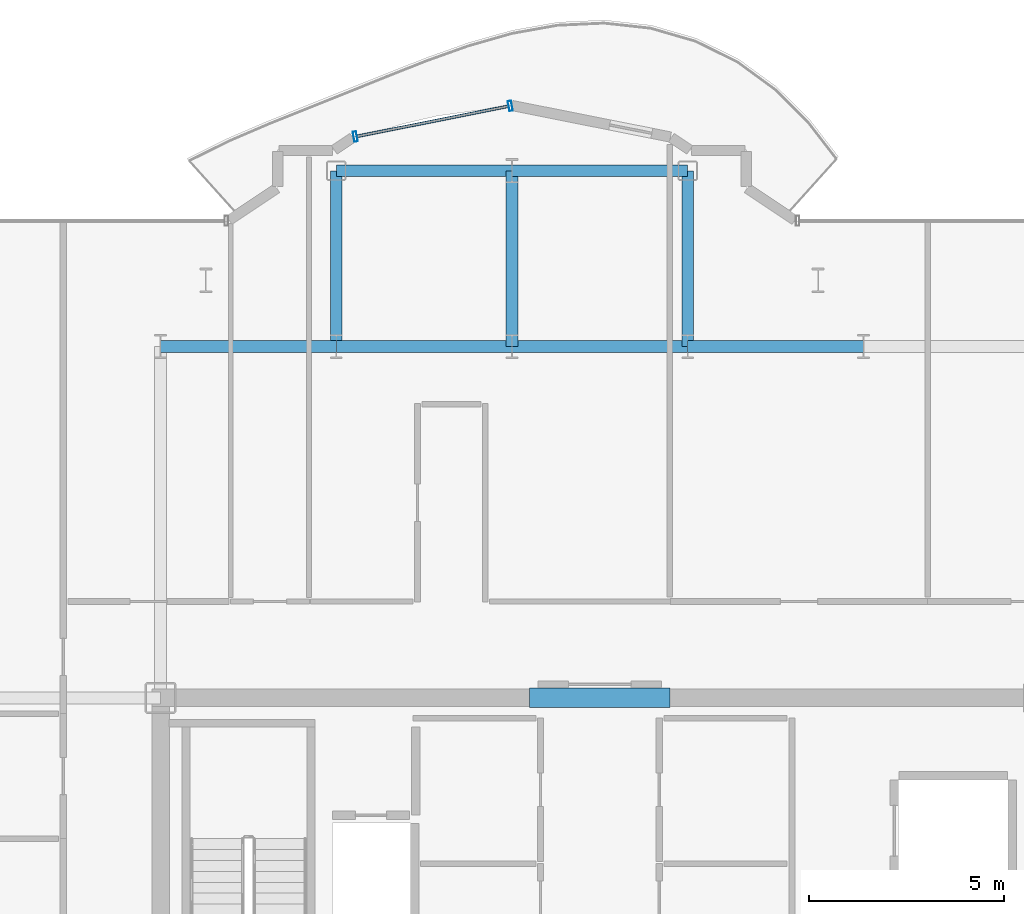
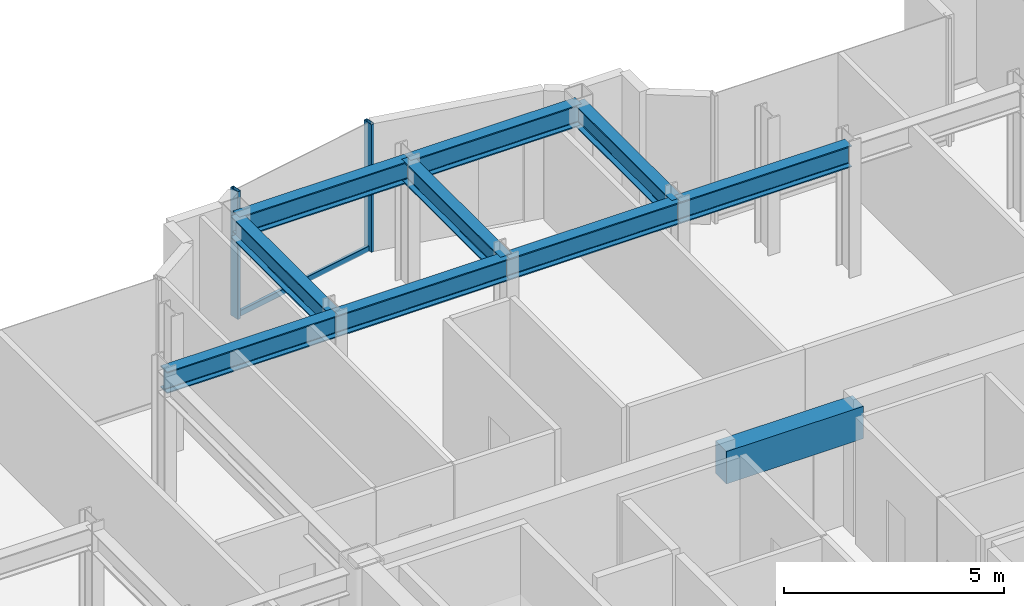
# One storey, part 8 of 18: 10 beams, 3 members, 1 element without a shape of its own.
"""IFC4 building model written with IfcOpenShell, lengths in metres."""

from ifc_helpers import new_model, si_unit, direction, frame, origin, origin_2d, place, context, subcontext, project, spatial, rectangle, hollow_rectangle, i_section, extrude, source, transform, mapped, material, layer, layer_set, material_profile, profile_set, type_object, element, aggregate, save


model = new_model("IFC4")

# Units and contexts
model_context = context("Model", 3, precision=1e-05, world=origin(), true_north=direction((0.0, 1.0)))
body_context = subcontext(model_context, "Body", "Model", "MODEL_VIEW")
ifc_project = project(units=[si_unit("LENGTHUNIT", "METRE"), si_unit("AREAUNIT", "SQUARE_METRE"), si_unit("VOLUMEUNIT", "CUBIC_METRE"), si_unit("PLANEANGLEUNIT", "RADIAN"), si_unit("MASSUNIT", "GRAM", prefix="KILO")], contexts=[model_context])

# Site, building, storey
site_placement = place(None, origin())
site = spatial("IfcSite", under=ifc_project, at=site_placement, CompositionType="ELEMENT")
building_placement = place(site_placement, origin())
building = spatial("IfcBuilding", under=site, at=building_placement, Name="Nefas-Gora Pilgrimage Tower", CompositionType="ELEMENT")
storey_placement = place(building_placement, frame((0.0, 0.0, 298.800048828125)))
storey = spatial("IfcBuildingStorey", under=building, at=storey_placement, Name="L75", CompositionType="ELEMENT", Elevation=298.800048828125)

# Beams
ifc_material_1 = material(Name="Concrete C50/60", Category="concrete")
ifc_material_profile_1 = material_profile(ifc_material_1, rectangle(XDim=0.5, YDim=0.89990234375, at=origin_2d()), Name="RC 500x900")
ifc_profile_set_1 = profile_set([ifc_material_profile_1], Name="Concrete C50/60")
beam_type_1 = type_object("IfcBeamType", Name="BM-LIN-RC900", PredefinedType="LINTEL", material=ifc_profile_set_1)
shared_shape_1 = source(origin(), body_context, "Body", "SweptSolid", [
    extrude(rectangle(XDim=0.5, YDim=0.89990234375, at=origin_2d()), origin(), (0.0, 0.0, 1.0), 3.60009765625),
])
beam_placement = place(storey_placement, frame((-1.800048828125, 9.0, 3.099853515625), z_axis=(1.0, 0.0, 0.0), x_axis=(0.0, 1.0, 0.0)))
element("IfcBeam", 1, at=beam_placement, inside=storey, type_object=beam_type_1, Name="L75 Core Coupling Lintel Beam N", PredefinedType="LINTEL", context=body_context, shape_type="MappedRepresentation", body=[
    mapped(shared_shape_1, transform((0.0, 0.0, 0.0), x_axis=(1.0, 0.0, 0.0), y_axis=(0.0, 1.0, 0.0), z_axis=(0.0, 0.0, 1.0), scale=1.0)),
])
ifc_material_2 = material(Name="Steel S355", Category="steel")
ifc_material_profile_2 = material_profile(ifc_material_2, i_section(OverallWidth=0.300048828125, OverallDepth=0.60009765625, WebThickness=0.015380859375, FlangeThickness=0.030029296875, FilletRadius=0.027099609375, at=origin_2d()), Name="HEB 600")
ifc_profile_set_2 = profile_set([ifc_material_profile_2], Name="Steel S355")
beam_type_2 = type_object("IfcBeamType", Name="BM-GIR-HEB600", PredefinedType="BEAM", material=ifc_profile_set_2)
shared_shape_2 = source(origin(), body_context, "Body", "SweptSolid", [
    extrude(i_section(OverallWidth=0.300048828125, OverallDepth=0.60009765625, WebThickness=0.015380859375, FlangeThickness=0.030029296875, FilletRadius=0.027099609375, at=origin_2d()), origin(), (0.0, 0.0, 1.0), 4.5),
])
for number, where, z_axis, x_axis, name in (
    (2, (-11.25, 18.0, 3.25), (1.0, 0.0, 0.0), (0.0, 1.0, 0.0), "L75 G-04 beam"),
    (3, (-6.75, 18.0, 3.25), (0.0, 1.0, 0.0), (-1.0, 0.0, 0.0), "L75 G-04 beam"),
    (4, (-6.75, 18.0, 3.25), (1.0, 0.0, 0.0), (0.0, 1.0, 0.0), "L75 G-04 beam"),
    (5, (-6.75, 22.5, 3.25), (1.0, 0.0, 0.0), (0.0, 1.0, 0.0), "L75 G-04 beam"),
    (6, (-2.25, 18.0, 3.25), (0.0, 1.0, 0.0), (-1.0, 0.0, 0.0), "L75 G-04 beam"),
    (7, (-2.25, 18.0, 3.25), (1.0, 0.0, 0.0), (0.0, 1.0, 0.0), "L75 G-04 beam"),
    (8, (-2.25, 22.5, 3.25), (1.0, 0.0, 0.0), (0.0, 1.0, 0.0), "L75 G-04 beam"),
    (9, (2.25, 18.0, 3.25), (0.0, 1.0, 0.0), (-1.0, 0.0, 0.0), "L75 G-04 beam"),
    (10, (2.25, 18.0, 3.25), (1.0, 0.0, 0.0), (0.0, 1.0, 0.0), "L75 G-04 beam"),
):
    element("IfcBeam", number, at=place(storey_placement, frame(where, z_axis=z_axis, x_axis=x_axis)), inside=storey, type_object=beam_type_2, Name=name, PredefinedType="BEAM", context=body_context, shape_type="MappedRepresentation", body=[
        mapped(shared_shape_2, transform((0.0, 0.0, 0.0), x_axis=(1.0, 0.0, 0.0), y_axis=(0.0, 1.0, 0.0), z_axis=(0.0, 0.0, 1.0), scale=1.0)),
    ])

# Curtain wall, members
ifc_material_3 = material(Name="Dark ceramic-fritted solar-control aluminium-glass curtain wall", Category="aluminium")
ifc_layer = layer(ifc_material_3, 0.219970703125)
ifc_layer_set = layer_set([ifc_layer], Name="Dark ceramic-fritted solar-control aluminium-glass curtain wall")
curtain_wall_type = type_object("IfcCurtainWallType", Name="CW-SYS-5", PredefinedType="NOTDEFINED", material=ifc_layer_set)
curtain_wall_placement = place(storey_placement, origin())
curtain_wall = element("IfcCurtainWall", 11, at=curtain_wall_placement, inside=storey, type_object=curtain_wall_type, Name="L75 Unitised Curtain Wall CW5", PredefinedType="NOTDEFINED")
ifc_material_4 = material(Name="Anodised architectural aluminium", Category="aluminium")
ifc_material_profile_3 = material_profile(ifc_material_4, hollow_rectangle(XDim=0.090087890625, YDim=0.260009765625, WallThickness=0.006103515625, InnerFilletRadius=0.006103515625, OuterFilletRadius=0.011962890625, at=origin_2d()), Name="ALU MULLION 90x260")
ifc_profile_set_3 = profile_set([ifc_material_profile_3], Name="Anodised architectural aluminium")
member_type_1 = type_object("IfcMemberType", Name="CWM-MUL-5", PredefinedType="MULLION", material=ifc_profile_set_3)
shared_shape_3 = source(origin(), body_context, "Body", "SweptSolid", [
    extrude(hollow_rectangle(XDim=0.090087890625, YDim=0.260009765625, WallThickness=0.006103515625, InnerFilletRadius=0.006103515625, OuterFilletRadius=0.011962890625, at=origin_2d()), origin(), (0.0, 0.0, 1.0), 3.550048828125),
])
member_1_placement = place(storey_placement, frame((-2.294189453125, 24.16357421875, 0.0), z_axis=(0.0, 0.0, 1.0), x_axis=(-0.980782896852, -0.195102304554, 0.0)))
member_1 = element("IfcMember", 12, at=member_1_placement, type_object=member_type_1, Name="CW5 Mullion 1", PredefinedType="MULLION", context=body_context, shape_type="MappedRepresentation", body=[
    mapped(shared_shape_3, transform((0.0, 0.0, 0.0), x_axis=(1.0, 0.0, 0.0), y_axis=(0.0, 1.0, 0.0), z_axis=(0.0, 0.0, 1.0), scale=1.0)),
])
member_2_placement = place(storey_placement, frame((-6.26318359375, 23.3740234375, 0.0), z_axis=(0.0, 0.0, 1.0), x_axis=(-0.980782896852, -0.195102304554, 0.0)))
member_2 = element("IfcMember", 13, at=member_2_placement, type_object=member_type_1, Name="CW5 Mullion 2", PredefinedType="MULLION", context=body_context, shape_type="MappedRepresentation", body=[
    mapped(shared_shape_3, transform((0.0, 0.0, 0.0), x_axis=(1.0, 0.0, 0.0), y_axis=(0.0, 1.0, 0.0), z_axis=(0.0, 0.0, 1.0), scale=1.0)),
])
ifc_material_profile_4 = material_profile(ifc_material_4, hollow_rectangle(XDim=0.080078125, YDim=0.159912109375, WallThickness=0.00439453125, InnerFilletRadius=0.00439453125, OuterFilletRadius=0.009033203125, at=origin_2d()), Name="ALU TRANSOM 80x160")
ifc_profile_set_4 = profile_set([ifc_material_profile_4], Name="Anodised architectural aluminium")
member_type_2 = type_object("IfcMemberType", Name="CWM-TRN-5", PredefinedType="USERDEFINED", material=ifc_profile_set_4)
shared_shape_4 = source(origin(), body_context, "Body", "SweptSolid", [
    extrude(hollow_rectangle(XDim=0.080078125, YDim=0.159912109375, WallThickness=0.00439453125, InnerFilletRadius=0.00439453125, OuterFilletRadius=0.009033203125, at=origin_2d()), origin(), (0.0, 0.0, 1.0), 3.95654296875),
])
member_3_placement = place(storey_placement, frame((-2.33837890625, 24.15478515625, 0.050048828125), z_axis=(-0.980781880918, -0.195107411605, 0.0), x_axis=(0.195107411605, -0.980781880918, 0.0)))
member_3 = element("IfcMember", 14, at=member_3_placement, type_object=member_type_2, Name="CW5 Spandrel Transom", ObjectType="TRANSOM", PredefinedType="USERDEFINED", context=body_context, shape_type="MappedRepresentation", body=[
    mapped(shared_shape_4, transform((0.0, 0.0, 0.0), x_axis=(1.0, 0.0, 0.0), y_axis=(0.0, 1.0, 0.0), z_axis=(0.0, 0.0, 1.0), scale=1.0)),
])
aggregate(curtain_wall, [member_1, member_2, member_3])

save(model, "model.ifc")
